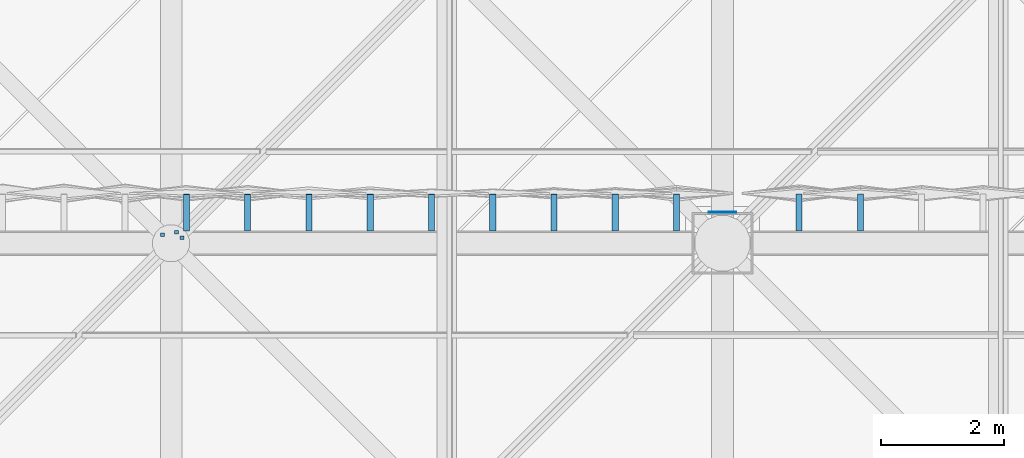
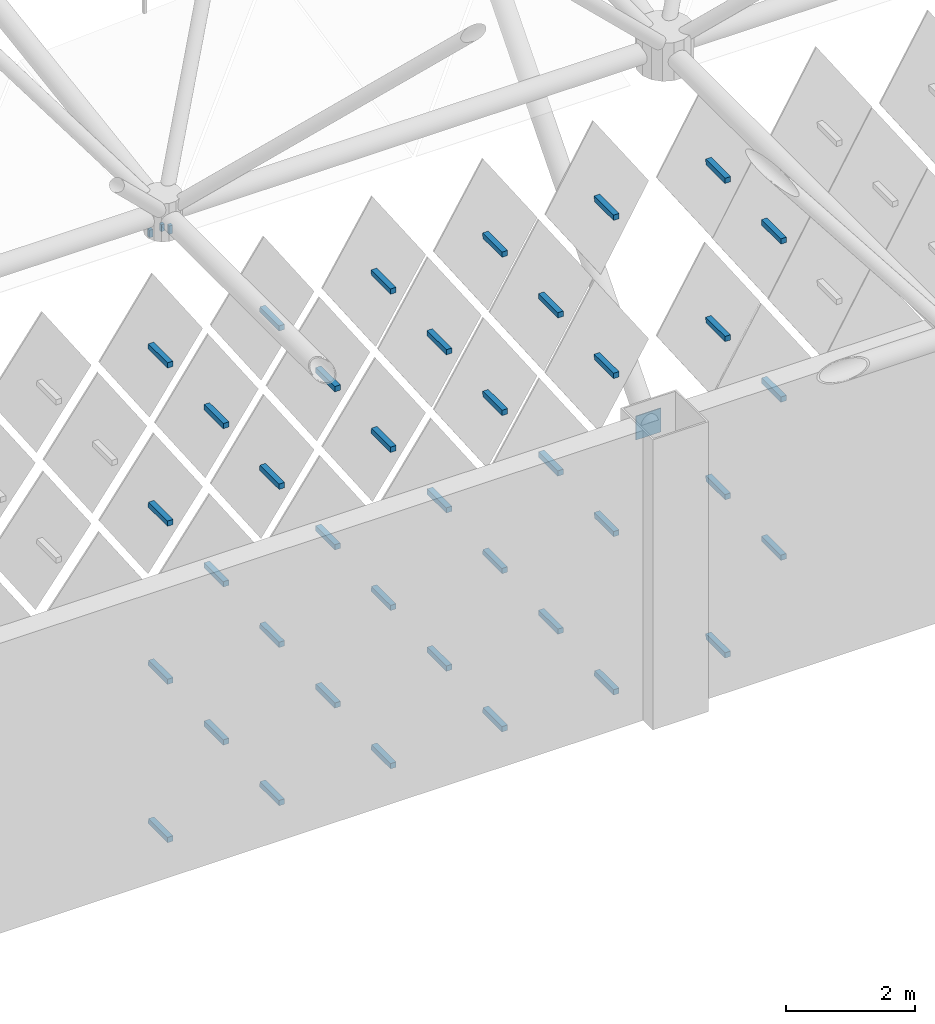
# One storey, part 397 of 437: 43 discrete accessories.
"""IFC4 building model written with IfcOpenShell, lengths in metres."""

import ifcopenshell
import ifcopenshell.guid

model = None  # the IFC model being written
_history = None  # IfcOwnerHistory: only IFC2X3 demands one
_inside = {}  # id of a spatial element -> (the spatial element, [elements in it])
_under = {}  # id of a project, library or spatial element -> (it, [spatial elements below it])
_declared = {}  # id of a project -> (the project, [libraries it declares])
_typed = {}  # id of a type object -> (the type object, [elements of that type])
_made_of = {}  # id of a material, layer set ... -> (it, [elements and type objects made of it])


def new_model(schema):
    """Start an empty IFC model of exactly this schema.

    Asked for "IFC4X3", IfcOpenShell would pick the latest addendum, in which some entities
    have other attributes; the version numbers below select the first issue.
    IFC2X3 requires an IfcOwnerHistory on every rooted entity: one is made here for all.
    """
    global model, _history
    if schema == "IFC4X3":
        model = ifcopenshell.file(schema_version=(4, 3, 0, 0))
    else:
        model = ifcopenshell.file(schema=schema)
    _inside.clear()
    _under.clear()
    _declared.clear()
    _typed.clear()
    _made_of.clear()
    _history = None
    if model.schema == "IFC2X3":
        org = make("IfcOrganization", Name="unknown")
        user = make(
            "IfcPersonAndOrganization",
            ThePerson=make("IfcPerson", FamilyName="unknown"),
            TheOrganization=org,
        )
        app = make(
            "IfcApplication",
            ApplicationDeveloper=org,
            Version="unknown",
            ApplicationFullName="unknown",
            ApplicationIdentifier="unknown",
        )
        _history = make(
            "IfcOwnerHistory",
            OwningUser=user,
            OwningApplication=app,
            ChangeAction="ADDED",
            CreationDate=0,
        )
    return model


def make(cls, **values):
    """One entity of the class cls with the attributes given. An attribute that is None is left unset."""
    return model.create_entity(
        cls, **{name: value for name, value in values.items() if value is not None}
    )


def rooted(cls, **values):
    """An entity with a GlobalId (a new one), such as an element, a storey or a relation."""
    return make(cls, GlobalId=ifcopenshell.guid.new(), OwnerHistory=_history, **values)


def si_unit(unit_type, name, prefix=None):
    """IfcSIUnit, for example si_unit("LENGTHUNIT", "METRE", prefix="MILLI")."""
    return make("IfcSIUnit", UnitType=unit_type, Prefix=prefix, Name=name)


def assignment(units):
    """IfcUnitAssignment: the units of a project."""
    return None if units is None else make("IfcUnitAssignment", Units=units)


def point(xyz):
    """IfcCartesianPoint."""
    return None if xyz is None else make("IfcCartesianPoint", Coordinates=xyz)


def direction(xyz):
    """IfcDirection."""
    return None if xyz is None else make("IfcDirection", DirectionRatios=xyz)


def frame(location, z_axis=None, x_axis=None):
    """IfcAxis2Placement3D, a coordinate frame: its origin and axes. An axis left out is left unset."""
    return make(
        "IfcAxis2Placement3D",
        Location=point(location),
        Axis=direction(z_axis),
        RefDirection=direction(x_axis),
    )


def origin():
    """The frame at (0, 0, 0) with its axes left unset."""
    return frame((0.0, 0.0, 0.0))


def place(relative_to, where):
    """IfcLocalPlacement: puts the frame where relative to a parent placement (None: the world)."""
    return make(
        "IfcLocalPlacement", PlacementRelTo=relative_to, RelativePlacement=where
    )


def context(
    kind, dimensions, precision=None, world=None, true_north=None, identifier=None
):
    """IfcGeometricRepresentationContext, for example the 3D "Model" context."""
    return make(
        "IfcGeometricRepresentationContext",
        ContextIdentifier=identifier,
        ContextType=kind,
        CoordinateSpaceDimension=dimensions,
        Precision=precision,
        WorldCoordinateSystem=world,
        TrueNorth=true_north,
    )


def subcontext(parent, identifier, kind, view, scale=None):
    """IfcGeometricRepresentationSubContext, for example "Body" below "Model"."""
    return make(
        "IfcGeometricRepresentationSubContext",
        ContextIdentifier=identifier,
        ContextType=kind,
        ParentContext=parent,
        TargetScale=scale,
        TargetView=view,
    )


def project(units=None, contexts=None):
    """IfcProject with its units and contexts."""
    return rooted(
        "IfcProject",
        Name="project",
        RepresentationContexts=contexts,
        UnitsInContext=assignment(units),
    )


def spatial(cls, under=None, at=None, **own):
    """A site, building, storey or space (cls), placed at a placement, below another one or the project."""
    s = rooted(cls, ObjectPlacement=at, **own)
    if under is not None:
        _under.setdefault(under.id(), (under, []))[1].append(s)
    return s


def polyline(points):
    """IfcPolyline through the points."""
    return make("IfcPolyline", Points=[point(p) for p in points])


def outline(outer, holes=None, kind="AREA"):
    """IfcArbitraryClosedProfileDef: a profile drawn as a closed curve; with holes, ...WithVoids."""
    if holes is None:
        return make("IfcArbitraryClosedProfileDef", ProfileType=kind, OuterCurve=outer)
    return make(
        "IfcArbitraryProfileDefWithVoids",
        ProfileType=kind,
        OuterCurve=outer,
        InnerCurves=holes,
    )


def extrude(swept, where, along, depth):
    """IfcExtrudedAreaSolid: the profile swept, set in the frame where, extruded along a direction by depth."""
    return make(
        "IfcExtrudedAreaSolid",
        SweptArea=swept,
        Position=where,
        ExtrudedDirection=direction(along),
        Depth=depth,
    )


def shape(context_of_items, identifier, shape_type, items):
    """IfcShapeRepresentation: the items that make up one representation, for example the "Body"."""
    return make(
        "IfcShapeRepresentation",
        ContextOfItems=context_of_items,
        RepresentationIdentifier=identifier,
        RepresentationType=shape_type,
        Items=items,
    )


def material(Name=None, Category=None):
    """IfcMaterial."""
    return make("IfcMaterial", Name=Name, Category=Category)


def layer(
    of_material, thickness, ventilated=None, Name=None, Category=None, Priority=None
):
    """IfcMaterialLayer: one layer of a wall or slab, of a material (None: an air gap)."""
    return make(
        "IfcMaterialLayer",
        Material=of_material,
        LayerThickness=thickness,
        IsVentilated=ventilated,
        Name=Name,
        Category=Category,
        Priority=Priority,
    )


def layer_set(layers, Name=None):
    """IfcMaterialLayerSet."""
    return make("IfcMaterialLayerSet", MaterialLayers=layers, LayerSetName=Name)


def made_of(thing, what):
    """Note that an element or type object is made of a material, layer set ...; save() writes the relation."""
    if what is not None:
        _made_of.setdefault(what.id(), (what, []))[1].append(thing)
    return thing


def type_object(cls, material=None, **own):
    """A type object (cls), such as IfcWallType, which elements share."""
    return made_of(rooted(cls, **own), material)


def element(
    cls,
    number,
    at=None,
    inside=None,
    cuts=None,
    type_object=None,
    material=None,
    context=None,
    identifier="Body",
    shape_type=None,
    held_by="IfcProductDefinitionShape",
    body=None,
    shapes=None,
    **own,
):
    """One element of the class cls, such as IfcWall. Its Tag is "e" and its number.

    at: its placement. inside: the storey or other place that contains it. cuts: it is an
    opening in that element (IfcRelVoidsElement). A single representation is given by context,
    identifier, shape_type and body (its items); several are given by shapes. held_by: the class
    of the entity that holds the representations. save() writes the other relations.
    """
    e = rooted(cls, Tag="e%d" % number, ObjectPlacement=at, **own)
    if body is not None:
        shapes = [shape(context, identifier, shape_type, body)]
    if shapes is not None:
        e.Representation = make(held_by, Representations=shapes)
    if inside is not None:
        _inside.setdefault(inside.id(), (inside, []))[1].append(e)
    if cuts is not None:
        rooted(
            "IfcRelVoidsElement", RelatingBuildingElement=cuts, RelatedOpeningElement=e
        )
    if type_object is not None:
        _typed.setdefault(type_object.id(), (type_object, []))[1].append(e)
    return made_of(e, material)


def aggregate(whole, parts):
    """IfcRelAggregates: a whole, such as a stair, and the parts it consists of."""
    return rooted("IfcRelAggregates", RelatingObject=whole, RelatedObjects=parts)


def save(model, path):
    """Write the relations noted so far, then the file.

    IfcRelAggregates (storeys below a building ...), IfcRelContainedInSpatialStructure (elements
    in a storey), IfcRelDefinesByType, IfcRelAssociatesMaterial and IfcRelDeclares: one each for
    every whole, place, type object, material and project.
    """
    for whole, parts in _under.values():
        aggregate(whole, parts)
    for where, things in _inside.values():
        rooted(
            "IfcRelContainedInSpatialStructure",
            RelatedElements=things,
            RelatingStructure=where,
        )
    for kind, things in _typed.values():
        rooted("IfcRelDefinesByType", RelatedObjects=things, RelatingType=kind)
    for what, things in _made_of.values():
        rooted("IfcRelAssociatesMaterial", RelatedObjects=things, RelatingMaterial=what)
    for by, libraries in _declared.values():
        rooted("IfcRelDeclares", RelatingContext=by, RelatedDefinitions=libraries)
    model.write(path)


model = new_model("IFC4")

# Units and contexts
model_context = context("Model", 3, precision=1e-05, world=origin(), true_north=direction((0.0, 1.0)))
body_context = subcontext(model_context, "Body", "Model", "MODEL_VIEW")
ifc_project = project(units=[si_unit("LENGTHUNIT", "METRE"), si_unit("AREAUNIT", "SQUARE_METRE"), si_unit("VOLUMEUNIT", "CUBIC_METRE"), si_unit("PLANEANGLEUNIT", "RADIAN"), si_unit("MASSUNIT", "GRAM", prefix="KILO")], contexts=[model_context])

# Site, building, storey
site_placement = place(None, origin())
site = spatial("IfcSite", under=ifc_project, at=site_placement, CompositionType="ELEMENT")
building_placement = place(site_placement, origin())
building = spatial("IfcBuilding", under=site, at=building_placement, Name="Opaline Strait Convention Centre", CompositionType="ELEMENT")
storey_placement = place(building_placement, frame((0.0, 0.0, 11.5)))
storey = spatial("IfcBuildingStorey", under=building, at=storey_placement, Name="L02", CompositionType="ELEMENT", Elevation=11.5)

# Discrete accessories
ifc_material_1 = material(Name="Structural steel Q355B", Category="steel")
ifc_layer = layer(ifc_material_1, 0.01611328125)
ifc_layer_set = layer_set([ifc_layer], Name="Structural steel Q355B")
discrete_accessory_type_1 = type_object("IfcDiscreteAccessoryType", Name="Prop bearing plate 450 x 450 x 16", PredefinedType="ANCHORPLATE", material=ifc_layer_set)
discrete_accessory_1_placement = place(storey_placement, frame((0.0, 0.0, 4.793701171875)))
element("IfcDiscreteAccessory", 1, at=discrete_accessory_1_placement, inside=storey, type_object=discrete_accessory_type_1, Name="Prop bearing plate 243/153 N", PredefinedType="ANCHORPLATE", context=body_context, shape_type="SweptSolid", body=[
    extrude(outline(polyline([(242.77490234375, 153.5), (243.22509765625, 153.5), (243.22509765625, 153.51611328125), (242.77490234375, 153.51611328125), (242.77490234375, 153.5)])), origin(), (0.0, 0.0, 1.0), 0.449951171875),
])
ifc_material_2 = material(Name="Steel Q355B", Category="steel")
discrete_accessory_type_2 = type_object("IfcDiscreteAccessoryType", Name="Soffit hanger 60x60 steel", PredefinedType="BRACKET", material=ifc_material_2)
discrete_accessory_2_placement = place(storey_placement, frame((0.0, 0.0, 11.9990234375)))
element("IfcDiscreteAccessory", 2, at=discrete_accessory_2_placement, inside=storey, type_object=discrete_accessory_type_2, Name="Soffit hanger", PredefinedType="BRACKET", context=body_context, shape_type="SweptSolid", body=[
    extrude(outline(polyline([(233.82861328125, 153.111328125), (233.888671875, 153.111328125), (233.888671875, 153.17138671875), (233.82861328125, 153.17138671875), (233.82861328125, 153.111328125)])), origin(), (0.0, 0.0, 1.0), 0.140869140625),
])
discrete_accessory_3_placement = place(storey_placement, frame((0.0, 0.0, 11.97998046875)))
element("IfcDiscreteAccessory", 3, at=discrete_accessory_3_placement, inside=storey, type_object=discrete_accessory_type_2, Name="Soffit hanger", PredefinedType="BRACKET", context=body_context, shape_type="SweptSolid", body=[
    extrude(outline(polyline([(234.14892578125, 153.059326171875), (234.208984375, 153.059326171875), (234.208984375, 153.119140625), (234.14892578125, 153.119140625), (234.14892578125, 153.059326171875)])), origin(), (0.0, 0.0, 1.0), 0.159912109375),
])
discrete_accessory_4_placement = place(storey_placement, frame((0.0, 0.0, 12.00830078125)))
element("IfcDiscreteAccessory", 4, at=discrete_accessory_4_placement, inside=storey, type_object=discrete_accessory_type_2, Name="Soffit hanger", PredefinedType="BRACKET", context=body_context, shape_type="SweptSolid", body=[
    extrude(outline(polyline([(234.059326171875, 153.14892578125), (234.119140625, 153.14892578125), (234.119140625, 153.208984375), (234.059326171875, 153.208984375), (234.059326171875, 153.14892578125)])), origin(), (0.0, 0.0, 1.0), 0.131591796875),
])
discrete_accessory_type_3 = type_object("IfcDiscreteAccessoryType", Name="Tile bracket 100x100 steel", PredefinedType="BRACKET", material=ifc_material_2)
discrete_accessory_5_placement = place(storey_placement, frame((244.300048828125, 153.199951171875, 0.39208984375), z_axis=(-1.0, 0.0, 0.0), x_axis=(0.0, -1.0, 0.0)))
element("IfcDiscreteAccessory", 5, at=discrete_accessory_5_placement, inside=storey, type_object=discrete_accessory_type_3, Name="Tile bracket XT04 N", PredefinedType="BRACKET", context=body_context, shape_type="SweptSolid", body=[
    extrude(outline(polyline([(0.0, -0.050048828125), (0.0, 0.050048828125), (-0.601806640625, 0.050048828125), (-0.59814453125, -0.050048828125), (0.0, -0.050048828125)])), origin(), (0.0, 0.0, 1.0), 0.10009765625),
])
discrete_accessory_6_placement = place(storey_placement, frame((242.300048828125, 153.199951171875, 0.39208984375), z_axis=(-1.0, 0.0, 0.0), x_axis=(0.0, -1.0, 0.0)))
element("IfcDiscreteAccessory", 6, at=discrete_accessory_6_placement, inside=storey, type_object=discrete_accessory_type_3, Name="Tile bracket XT04 N", PredefinedType="BRACKET", context=body_context, shape_type="SweptSolid", body=[
    extrude(outline(polyline([(0.0, -0.050048828125), (0.0, 0.050048828125), (-0.59814453125, 0.050048828125), (-0.601806640625, -0.050048828125), (0.0, -0.050048828125)])), origin(), (0.0, 0.0, 1.0), 0.10009765625),
])
discrete_accessory_7_placement = place(storey_placement, frame((240.300048828125, 153.199951171875, 0.39208984375), z_axis=(-1.0, 0.0, 0.0), x_axis=(0.0, -1.0, 0.0)))
element("IfcDiscreteAccessory", 7, at=discrete_accessory_7_placement, inside=storey, type_object=discrete_accessory_type_3, Name="Tile bracket XT05 N", PredefinedType="BRACKET", context=body_context, shape_type="SweptSolid", body=[
    extrude(outline(polyline([(0.0, -0.050048828125), (0.0, 0.050048828125), (-0.597900390625, 0.050048828125), (-0.602294921875, -0.050048828125), (0.0, -0.050048828125)])), origin(), (0.0, 0.0, 1.0), 0.10009765625),
])
discrete_accessory_8_placement = place(storey_placement, frame((238.300048828125, 153.199951171875, 0.39208984375), z_axis=(-1.0, 0.0, 0.0), x_axis=(0.0, -1.0, 0.0)))
element("IfcDiscreteAccessory", 8, at=discrete_accessory_8_placement, inside=storey, type_object=discrete_accessory_type_3, Name="Tile bracket XT08 N", PredefinedType="BRACKET", context=body_context, shape_type="SweptSolid", body=[
    extrude(outline(polyline([(0.0, -0.050048828125), (0.0, 0.050048828125), (-0.596435546875, 0.050048828125), (-0.603515625, -0.050048828125), (0.0, -0.050048828125)])), origin(), (0.0, 0.0, 1.0), 0.10009765625),
])
discrete_accessory_9_placement = place(storey_placement, frame((236.300048828125, 153.199951171875, 0.39208984375), z_axis=(-1.0, 0.0, 0.0), x_axis=(0.0, -1.0, 0.0)))
element("IfcDiscreteAccessory", 9, at=discrete_accessory_9_placement, inside=storey, type_object=discrete_accessory_type_3, Name="Tile bracket XT10 N", PredefinedType="BRACKET", context=body_context, shape_type="SweptSolid", body=[
    extrude(outline(polyline([(0.0, -0.050048828125), (0.0, 0.050048828125), (-0.595703125, 0.050048828125), (-0.604248046875, -0.050048828125), (0.0, -0.050048828125)])), origin(), (0.0, 0.0, 1.0), 0.10009765625),
])
discrete_accessory_10_placement = place(storey_placement, frame((234.300048828125, 153.199951171875, 0.39208984375), z_axis=(-1.0, 0.0, 0.0), x_axis=(0.0, -1.0, 0.0)))
element("IfcDiscreteAccessory", 10, at=discrete_accessory_10_placement, inside=storey, type_object=discrete_accessory_type_3, Name="Tile bracket XT11 N", PredefinedType="BRACKET", context=body_context, shape_type="SweptSolid", body=[
    extrude(outline(polyline([(0.0, -0.050048828125), (0.0, 0.050048828125), (-0.59521484375, 0.050048828125), (-0.604736328125, -0.050048828125), (0.0, -0.050048828125)])), origin(), (0.0, 0.0, 1.0), 0.10009765625),
])
discrete_accessory_11_placement = place(storey_placement, frame((245.300048828125, 153.199951171875, 1.89208984375), z_axis=(-1.0, 0.0, 0.0), x_axis=(0.0, -1.0, 0.0)))
element("IfcDiscreteAccessory", 11, at=discrete_accessory_11_placement, inside=storey, type_object=discrete_accessory_type_3, Name="Tile bracket XT05 N", PredefinedType="BRACKET", context=body_context, shape_type="SweptSolid", body=[
    extrude(outline(polyline([(0.0, -0.050048828125), (0.0, 0.050048828125), (-0.602294921875, 0.050048828125), (-0.597900390625, -0.050048828125), (0.0, -0.050048828125)])), origin(), (0.0, 0.0, 1.0), 0.10009765625),
])
discrete_accessory_12_placement = place(storey_placement, frame((241.300048828125, 153.199951171875, 1.89208984375), z_axis=(-1.0, 0.0, 0.0), x_axis=(0.0, -1.0, 0.0)))
element("IfcDiscreteAccessory", 12, at=discrete_accessory_12_placement, inside=storey, type_object=discrete_accessory_type_3, Name="Tile bracket XT04 N", PredefinedType="BRACKET", context=body_context, shape_type="SweptSolid", body=[
    extrude(outline(polyline([(0.0, -0.050048828125), (0.0, 0.050048828125), (-0.59814453125, 0.050048828125), (-0.601806640625, -0.050048828125), (0.0, -0.050048828125)])), origin(), (0.0, 0.0, 1.0), 0.10009765625),
])
discrete_accessory_13_placement = place(storey_placement, frame((239.300048828125, 153.199951171875, 1.89208984375), z_axis=(-1.0, 0.0, 0.0), x_axis=(0.0, -1.0, 0.0)))
element("IfcDiscreteAccessory", 13, at=discrete_accessory_13_placement, inside=storey, type_object=discrete_accessory_type_3, Name="Tile bracket XT05 N", PredefinedType="BRACKET", context=body_context, shape_type="SweptSolid", body=[
    extrude(outline(polyline([(0.0, -0.050048828125), (0.0, 0.050048828125), (-0.597900390625, 0.050048828125), (-0.602294921875, -0.050048828125), (0.0, -0.050048828125)])), origin(), (0.0, 0.0, 1.0), 0.10009765625),
])
discrete_accessory_14_placement = place(storey_placement, frame((237.300048828125, 153.199951171875, 1.89208984375), z_axis=(-1.0, 0.0, 0.0), x_axis=(0.0, -1.0, 0.0)))
element("IfcDiscreteAccessory", 14, at=discrete_accessory_14_placement, inside=storey, type_object=discrete_accessory_type_3, Name="Tile bracket XT08 N", PredefinedType="BRACKET", context=body_context, shape_type="SweptSolid", body=[
    extrude(outline(polyline([(0.0, -0.050048828125), (0.0, 0.050048828125), (-0.596435546875, 0.050048828125), (-0.603515625, -0.050048828125), (0.0, -0.050048828125)])), origin(), (0.0, 0.0, 1.0), 0.10009765625),
])
discrete_accessory_15_placement = place(storey_placement, frame((235.300048828125, 153.199951171875, 1.89208984375), z_axis=(-1.0, 0.0, 0.0), x_axis=(0.0, -1.0, 0.0)))
element("IfcDiscreteAccessory", 15, at=discrete_accessory_15_placement, inside=storey, type_object=discrete_accessory_type_3, Name="Tile bracket XT10 N", PredefinedType="BRACKET", context=body_context, shape_type="SweptSolid", body=[
    extrude(outline(polyline([(0.0, -0.050048828125), (0.0, 0.050048828125), (-0.595703125, 0.050048828125), (-0.604248046875, -0.050048828125), (0.0, -0.050048828125)])), origin(), (0.0, 0.0, 1.0), 0.10009765625),
])
discrete_accessory_16_placement = place(storey_placement, frame((244.300048828125, 153.199951171875, 3.39208984375), z_axis=(-1.0, 0.0, 0.0), x_axis=(0.0, -1.0, 0.0)))
element("IfcDiscreteAccessory", 16, at=discrete_accessory_16_placement, inside=storey, type_object=discrete_accessory_type_3, Name="Tile bracket XT06 N", PredefinedType="BRACKET", context=body_context, shape_type="SweptSolid", body=[
    extrude(outline(polyline([(0.0, -0.050048828125), (0.0, 0.050048828125), (-0.6025390625, 0.050048828125), (-0.597412109375, -0.050048828125), (0.0, -0.050048828125)])), origin(), (0.0, 0.0, 1.0), 0.10009765625),
])
discrete_accessory_17_placement = place(storey_placement, frame((242.300048828125, 153.199951171875, 3.39208984375), z_axis=(-1.0, 0.0, 0.0), x_axis=(0.0, -1.0, 0.0)))
element("IfcDiscreteAccessory", 17, at=discrete_accessory_17_placement, inside=storey, type_object=discrete_accessory_type_3, Name="Tile bracket XT04 N", PredefinedType="BRACKET", context=body_context, shape_type="SweptSolid", body=[
    extrude(outline(polyline([(0.0, -0.050048828125), (0.0, 0.050048828125), (-0.601806640625, 0.050048828125), (-0.59814453125, -0.050048828125), (0.0, -0.050048828125)])), origin(), (0.0, 0.0, 1.0), 0.10009765625),
])
discrete_accessory_18_placement = place(storey_placement, frame((240.300048828125, 153.199951171875, 3.39208984375), z_axis=(-1.0, 0.0, 0.0), x_axis=(0.0, -1.0, 0.0)))
element("IfcDiscreteAccessory", 18, at=discrete_accessory_18_placement, inside=storey, type_object=discrete_accessory_type_3, Name="Tile bracket XT04 N", PredefinedType="BRACKET", context=body_context, shape_type="SweptSolid", body=[
    extrude(outline(polyline([(0.0, -0.050048828125), (0.0, 0.050048828125), (-0.59814453125, 0.050048828125), (-0.601806640625, -0.050048828125), (0.0, -0.050048828125)])), origin(), (0.0, 0.0, 1.0), 0.10009765625),
])
discrete_accessory_19_placement = place(storey_placement, frame((238.300048828125, 153.199951171875, 3.39208984375), z_axis=(-1.0, 0.0, 0.0), x_axis=(0.0, -1.0, 0.0)))
element("IfcDiscreteAccessory", 19, at=discrete_accessory_19_placement, inside=storey, type_object=discrete_accessory_type_3, Name="Tile bracket XT05 N", PredefinedType="BRACKET", context=body_context, shape_type="SweptSolid", body=[
    extrude(outline(polyline([(0.0, -0.050048828125), (0.0, 0.050048828125), (-0.597900390625, 0.050048828125), (-0.602294921875, -0.050048828125), (0.0, -0.050048828125)])), origin(), (0.0, 0.0, 1.0), 0.10009765625),
])
discrete_accessory_20_placement = place(storey_placement, frame((236.300048828125, 153.199951171875, 3.39208984375), z_axis=(-1.0, 0.0, 0.0), x_axis=(0.0, -1.0, 0.0)))
element("IfcDiscreteAccessory", 20, at=discrete_accessory_20_placement, inside=storey, type_object=discrete_accessory_type_3, Name="Tile bracket XT08 N", PredefinedType="BRACKET", context=body_context, shape_type="SweptSolid", body=[
    extrude(outline(polyline([(0.0, -0.050048828125), (0.0, 0.050048828125), (-0.596435546875, 0.050048828125), (-0.603515625, -0.050048828125), (0.0, -0.050048828125)])), origin(), (0.0, 0.0, 1.0), 0.10009765625),
])
discrete_accessory_21_placement = place(storey_placement, frame((234.300048828125, 153.199951171875, 3.39208984375), z_axis=(-1.0, 0.0, 0.0), x_axis=(0.0, -1.0, 0.0)))
element("IfcDiscreteAccessory", 21, at=discrete_accessory_21_placement, inside=storey, type_object=discrete_accessory_type_3, Name="Tile bracket XT10 N", PredefinedType="BRACKET", context=body_context, shape_type="SweptSolid", body=[
    extrude(outline(polyline([(0.0, -0.050048828125), (0.0, 0.050048828125), (-0.595703125, 0.050048828125), (-0.604248046875, -0.050048828125), (0.0, -0.050048828125)])), origin(), (0.0, 0.0, 1.0), 0.10009765625),
])
discrete_accessory_22_placement = place(storey_placement, frame((245.300048828125, 153.199951171875, 4.89208984375), z_axis=(-1.0, 0.0, 0.0), x_axis=(0.0, -1.0, 0.0)))
element("IfcDiscreteAccessory", 22, at=discrete_accessory_22_placement, inside=storey, type_object=discrete_accessory_type_3, Name="Tile bracket XT07 N", PredefinedType="BRACKET", context=body_context, shape_type="SweptSolid", body=[
    extrude(outline(polyline([(0.0, -0.050048828125), (0.0, 0.050048828125), (-0.60302734375, 0.050048828125), (-0.596923828125, -0.050048828125), (0.0, -0.050048828125)])), origin(), (0.0, 0.0, 1.0), 0.10009765625),
])
discrete_accessory_23_placement = place(storey_placement, frame((241.300048828125, 153.199951171875, 4.89208984375), z_axis=(-1.0, 0.0, 0.0), x_axis=(0.0, -1.0, 0.0)))
element("IfcDiscreteAccessory", 23, at=discrete_accessory_23_placement, inside=storey, type_object=discrete_accessory_type_3, Name="Tile bracket XT04 N", PredefinedType="BRACKET", context=body_context, shape_type="SweptSolid", body=[
    extrude(outline(polyline([(0.0, -0.050048828125), (0.0, 0.050048828125), (-0.601806640625, 0.050048828125), (-0.59814453125, -0.050048828125), (0.0, -0.050048828125)])), origin(), (0.0, 0.0, 1.0), 0.10009765625),
])
discrete_accessory_24_placement = place(storey_placement, frame((239.300048828125, 153.199951171875, 4.89208984375), z_axis=(-1.0, 0.0, 0.0), x_axis=(0.0, -1.0, 0.0)))
element("IfcDiscreteAccessory", 24, at=discrete_accessory_24_placement, inside=storey, type_object=discrete_accessory_type_3, Name="Tile bracket XT04 N", PredefinedType="BRACKET", context=body_context, shape_type="SweptSolid", body=[
    extrude(outline(polyline([(0.0, -0.050048828125), (0.0, 0.050048828125), (-0.59814453125, 0.050048828125), (-0.601806640625, -0.050048828125), (0.0, -0.050048828125)])), origin(), (0.0, 0.0, 1.0), 0.10009765625),
])
discrete_accessory_25_placement = place(storey_placement, frame((237.300048828125, 153.199951171875, 4.89208984375), z_axis=(-1.0, 0.0, 0.0), x_axis=(0.0, -1.0, 0.0)))
element("IfcDiscreteAccessory", 25, at=discrete_accessory_25_placement, inside=storey, type_object=discrete_accessory_type_3, Name="Tile bracket XT05 N", PredefinedType="BRACKET", context=body_context, shape_type="SweptSolid", body=[
    extrude(outline(polyline([(0.0, -0.050048828125), (0.0, 0.050048828125), (-0.597900390625, 0.050048828125), (-0.602294921875, -0.050048828125), (0.0, -0.050048828125)])), origin(), (0.0, 0.0, 1.0), 0.10009765625),
])
discrete_accessory_26_placement = place(storey_placement, frame((235.300048828125, 153.199951171875, 4.89208984375), z_axis=(-1.0, 0.0, 0.0), x_axis=(0.0, -1.0, 0.0)))
element("IfcDiscreteAccessory", 26, at=discrete_accessory_26_placement, inside=storey, type_object=discrete_accessory_type_3, Name="Tile bracket XT08 N", PredefinedType="BRACKET", context=body_context, shape_type="SweptSolid", body=[
    extrude(outline(polyline([(0.0, -0.050048828125), (0.0, 0.050048828125), (-0.596435546875, 0.050048828125), (-0.603515625, -0.050048828125), (0.0, -0.050048828125)])), origin(), (0.0, 0.0, 1.0), 0.10009765625),
])
discrete_accessory_27_placement = place(storey_placement, frame((244.300048828125, 153.199951171875, 6.39208984375), z_axis=(-1.0, 0.0, 0.0), x_axis=(0.0, -1.0, 0.0)))
element("IfcDiscreteAccessory", 27, at=discrete_accessory_27_placement, inside=storey, type_object=discrete_accessory_type_3, Name="Tile bracket XT08 N", PredefinedType="BRACKET", context=body_context, shape_type="SweptSolid", body=[
    extrude(outline(polyline([(0.0, -0.050048828125), (0.0, 0.050048828125), (-0.603515625, 0.050048828125), (-0.596435546875, -0.050048828125), (0.0, -0.050048828125)])), origin(), (0.0, 0.0, 1.0), 0.10009765625),
])
discrete_accessory_28_placement = place(storey_placement, frame((242.300048828125, 153.199951171875, 6.39208984375), z_axis=(-1.0, 0.0, 0.0), x_axis=(0.0, -1.0, 0.0)))
element("IfcDiscreteAccessory", 28, at=discrete_accessory_28_placement, inside=storey, type_object=discrete_accessory_type_3, Name="Tile bracket XT06 N", PredefinedType="BRACKET", context=body_context, shape_type="SweptSolid", body=[
    extrude(outline(polyline([(0.0, -0.050048828125), (0.0, 0.050048828125), (-0.6025390625, 0.050048828125), (-0.597412109375, -0.050048828125), (0.0, -0.050048828125)])), origin(), (0.0, 0.0, 1.0), 0.10009765625),
])
discrete_accessory_29_placement = place(storey_placement, frame((240.300048828125, 153.199951171875, 6.39208984375), z_axis=(-1.0, 0.0, 0.0), x_axis=(0.0, -1.0, 0.0)))
element("IfcDiscreteAccessory", 29, at=discrete_accessory_29_placement, inside=storey, type_object=discrete_accessory_type_3, Name="Tile bracket XT04 N", PredefinedType="BRACKET", context=body_context, shape_type="SweptSolid", body=[
    extrude(outline(polyline([(0.0, -0.050048828125), (0.0, 0.050048828125), (-0.601806640625, 0.050048828125), (-0.59814453125, -0.050048828125), (0.0, -0.050048828125)])), origin(), (0.0, 0.0, 1.0), 0.10009765625),
])
for number, where, z_axis, x_axis, name in (
    (30, (238.300048828125, 153.199951171875, 6.39208984375), (-1.0, 0.0, 0.0), (0.0, -1.0, 0.0), "Tile bracket XT04 N"),
    (31, (236.300048828125, 153.199951171875, 6.39208984375), (-1.0, 0.0, 0.0), (0.0, -1.0, 0.0), "Tile bracket XT04 N"),
):
    element("IfcDiscreteAccessory", number, at=place(storey_placement, frame(where, z_axis=z_axis, x_axis=x_axis)), inside=storey, type_object=discrete_accessory_type_3, Name=name, PredefinedType="BRACKET", context=body_context, shape_type="SweptSolid", body=[
        extrude(outline(polyline([(0.0, -0.050048828125), (0.0, 0.050048828125), (-0.59814453125, 0.050048828125), (-0.601806640625, -0.050048828125), (0.0, -0.050048828125)])), origin(), (0.0, 0.0, 1.0), 0.10009765625),
    ])
discrete_accessory_30_placement = place(storey_placement, frame((234.300048828125, 153.199951171875, 6.39208984375), z_axis=(-1.0, 0.0, 0.0), x_axis=(0.0, -1.0, 0.0)))
element("IfcDiscreteAccessory", 32, at=discrete_accessory_30_placement, inside=storey, type_object=discrete_accessory_type_3, Name="Tile bracket XT08 N", PredefinedType="BRACKET", context=body_context, shape_type="SweptSolid", body=[
    extrude(outline(polyline([(0.0, -0.050048828125), (0.0, 0.050048828125), (-0.596435546875, 0.050048828125), (-0.603515625, -0.050048828125), (0.0, -0.050048828125)])), origin(), (0.0, 0.0, 1.0), 0.10009765625),
])
discrete_accessory_31_placement = place(storey_placement, frame((245.300048828125, 153.199951171875, 7.89208984375), z_axis=(-1.0, 0.0, 0.0), x_axis=(0.0, -1.0, 0.0)))
element("IfcDiscreteAccessory", 33, at=discrete_accessory_31_placement, inside=storey, type_object=discrete_accessory_type_3, Name="Tile bracket XT09 N", PredefinedType="BRACKET", context=body_context, shape_type="SweptSolid", body=[
    extrude(outline(polyline([(0.0, -0.050048828125), (0.0, 0.050048828125), (-0.60400390625, 0.050048828125), (-0.595947265625, -0.050048828125), (0.0, -0.050048828125)])), origin(), (0.0, 0.0, 1.0), 0.10009765625),
])
discrete_accessory_32_placement = place(storey_placement, frame((241.300048828125, 153.199951171875, 7.89208984375), z_axis=(-1.0, 0.0, 0.0), x_axis=(0.0, -1.0, 0.0)))
element("IfcDiscreteAccessory", 34, at=discrete_accessory_32_placement, inside=storey, type_object=discrete_accessory_type_3, Name="Tile bracket XT06 N", PredefinedType="BRACKET", context=body_context, shape_type="SweptSolid", body=[
    extrude(outline(polyline([(0.0, -0.050048828125), (0.0, 0.050048828125), (-0.6025390625, 0.050048828125), (-0.597412109375, -0.050048828125), (0.0, -0.050048828125)])), origin(), (0.0, 0.0, 1.0), 0.10009765625),
])
discrete_accessory_33_placement = place(storey_placement, frame((239.300048828125, 153.199951171875, 7.89208984375), z_axis=(-1.0, 0.0, 0.0), x_axis=(0.0, -1.0, 0.0)))
element("IfcDiscreteAccessory", 35, at=discrete_accessory_33_placement, inside=storey, type_object=discrete_accessory_type_3, Name="Tile bracket XT04 N", PredefinedType="BRACKET", context=body_context, shape_type="SweptSolid", body=[
    extrude(outline(polyline([(0.0, -0.050048828125), (0.0, 0.050048828125), (-0.601806640625, 0.050048828125), (-0.59814453125, -0.050048828125), (0.0, -0.050048828125)])), origin(), (0.0, 0.0, 1.0), 0.10009765625),
])
for number, where, z_axis, x_axis, name in (
    (36, (237.300048828125, 153.199951171875, 7.89208984375), (-1.0, 0.0, 0.0), (0.0, -1.0, 0.0), "Tile bracket XT04 N"),
    (37, (235.300048828125, 153.199951171875, 7.89208984375), (-1.0, 0.0, 0.0), (0.0, -1.0, 0.0), "Tile bracket XT04 N"),
):
    element("IfcDiscreteAccessory", number, at=place(storey_placement, frame(where, z_axis=z_axis, x_axis=x_axis)), inside=storey, type_object=discrete_accessory_type_3, Name=name, PredefinedType="BRACKET", context=body_context, shape_type="SweptSolid", body=[
        extrude(outline(polyline([(0.0, -0.050048828125), (0.0, 0.050048828125), (-0.59814453125, 0.050048828125), (-0.601806640625, -0.050048828125), (0.0, -0.050048828125)])), origin(), (0.0, 0.0, 1.0), 0.10009765625),
    ])
discrete_accessory_34_placement = place(storey_placement, frame((244.300048828125, 153.199951171875, 9.39208984375), z_axis=(-1.0, 0.0, 0.0), x_axis=(0.0, -1.0, 0.0)))
element("IfcDiscreteAccessory", 38, at=discrete_accessory_34_placement, inside=storey, type_object=discrete_accessory_type_3, Name="Tile bracket XT10 N", PredefinedType="BRACKET", context=body_context, shape_type="SweptSolid", body=[
    extrude(outline(polyline([(0.0, -0.050048828125), (0.0, 0.050048828125), (-0.604248046875, 0.050048828125), (-0.595703125, -0.050048828125), (0.0, -0.050048828125)])), origin(), (0.0, 0.0, 1.0), 0.10009765625),
])
discrete_accessory_35_placement = place(storey_placement, frame((242.300048828125, 153.199951171875, 9.39208984375), z_axis=(-1.0, 0.0, 0.0), x_axis=(0.0, -1.0, 0.0)))
element("IfcDiscreteAccessory", 39, at=discrete_accessory_35_placement, inside=storey, type_object=discrete_accessory_type_3, Name="Tile bracket XT09 N", PredefinedType="BRACKET", context=body_context, shape_type="SweptSolid", body=[
    extrude(outline(polyline([(0.0, -0.050048828125), (0.0, 0.050048828125), (-0.60400390625, 0.050048828125), (-0.595947265625, -0.050048828125), (0.0, -0.050048828125)])), origin(), (0.0, 0.0, 1.0), 0.10009765625),
])
discrete_accessory_36_placement = place(storey_placement, frame((240.300048828125, 153.199951171875, 9.39208984375), z_axis=(-1.0, 0.0, 0.0), x_axis=(0.0, -1.0, 0.0)))
element("IfcDiscreteAccessory", 40, at=discrete_accessory_36_placement, inside=storey, type_object=discrete_accessory_type_3, Name="Tile bracket XT06 N", PredefinedType="BRACKET", context=body_context, shape_type="SweptSolid", body=[
    extrude(outline(polyline([(0.0, -0.050048828125), (0.0, 0.050048828125), (-0.6025390625, 0.050048828125), (-0.597412109375, -0.050048828125), (0.0, -0.050048828125)])), origin(), (0.0, 0.0, 1.0), 0.10009765625),
])
discrete_accessory_37_placement = place(storey_placement, frame((238.300048828125, 153.199951171875, 9.39208984375), z_axis=(-1.0, 0.0, 0.0), x_axis=(0.0, -1.0, 0.0)))
element("IfcDiscreteAccessory", 41, at=discrete_accessory_37_placement, inside=storey, type_object=discrete_accessory_type_3, Name="Tile bracket XT04 N", PredefinedType="BRACKET", context=body_context, shape_type="SweptSolid", body=[
    extrude(outline(polyline([(0.0, -0.050048828125), (0.0, 0.050048828125), (-0.601806640625, 0.050048828125), (-0.59814453125, -0.050048828125), (0.0, -0.050048828125)])), origin(), (0.0, 0.0, 1.0), 0.10009765625),
])
for number, where, z_axis, x_axis, name in (
    (42, (236.300048828125, 153.199951171875, 9.39208984375), (-1.0, 0.0, 0.0), (0.0, -1.0, 0.0), "Tile bracket XT04 N"),
    (43, (234.300048828125, 153.199951171875, 9.39208984375), (-1.0, 0.0, 0.0), (0.0, -1.0, 0.0), "Tile bracket XT04 N"),
):
    element("IfcDiscreteAccessory", number, at=place(storey_placement, frame(where, z_axis=z_axis, x_axis=x_axis)), inside=storey, type_object=discrete_accessory_type_3, Name=name, PredefinedType="BRACKET", context=body_context, shape_type="SweptSolid", body=[
        extrude(outline(polyline([(0.0, -0.050048828125), (0.0, 0.050048828125), (-0.59814453125, 0.050048828125), (-0.601806640625, -0.050048828125), (0.0, -0.050048828125)])), origin(), (0.0, 0.0, 1.0), 0.10009765625),
    ])

save(model, "model.ifc")
